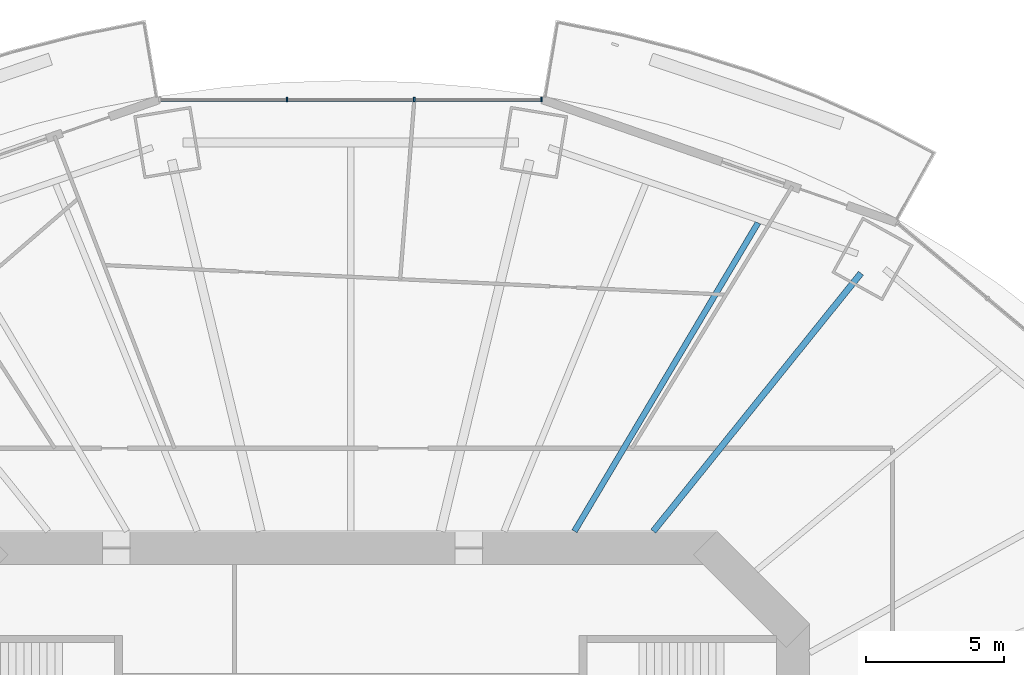
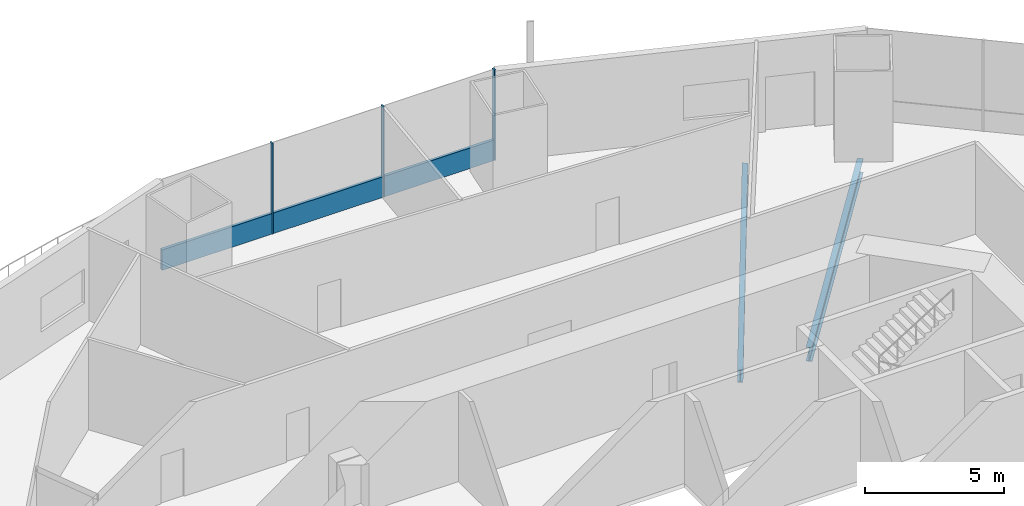
# One storey, part 9 of 22: 4 members, 2 beams, 1 element without a shape of its own.
"""IFC4 building model written with IfcOpenShell, lengths in metres."""

from ifc_helpers import new_model, si_unit, direction, frame, origin, origin_2d, place, context, subcontext, project, spatial, rectangle, i_section, extrude, material, material_profile, profile_set, type_object, element, aggregate, save


model = new_model("IFC4")

# Units and contexts
model_context = context("Model", 3, precision=1e-05, world=origin(), true_north=direction((0.0, 1.0)))
body_context = subcontext(model_context, "Body", "Model", "MODEL_VIEW")
ifc_project = project(units=[si_unit("LENGTHUNIT", "METRE"), si_unit("AREAUNIT", "SQUARE_METRE"), si_unit("VOLUMEUNIT", "CUBIC_METRE"), si_unit("PLANEANGLEUNIT", "RADIAN"), si_unit("MASSUNIT", "GRAM", prefix="KILO")], contexts=[model_context])

# Site, building, storey
site_placement = place(None, origin())
site = spatial("IfcSite", under=ifc_project, at=site_placement, CompositionType="ELEMENT")
building_placement = place(site_placement, origin())
building = spatial("IfcBuilding", under=site, at=building_placement, Name="Marenthal Gate Tower", CompositionType="ELEMENT")
storey_placement = place(building_placement, frame((0.0, 0.0, 70.35009765625)))
storey = spatial("IfcBuildingStorey", under=building, at=storey_placement, Name="L13", CompositionType="ELEMENT", Elevation=70.35009765625)

# Curtain wall, members
ifc_material_1 = material(Name="Aluminium and glass", Category="aluminium")
curtain_wall_type = type_object("IfcCurtainWallType", Name="Curtain wall typical low", PredefinedType="NOTDEFINED", material=ifc_material_1)
curtain_wall_placement = place(storey_placement, origin())
curtain_wall = element("IfcCurtainWall", 1, at=curtain_wall_placement, inside=storey, type_object=curtain_wall_type, Name="Curtain wall L13 bay 4", PredefinedType="NOTDEFINED")
ifc_material_2 = material(Name="Aluminium", Category="aluminium")
ifc_material_profile_1 = material_profile(ifc_material_2, rectangle(XDim=0.159912109375, YDim=0.06005859375, at=origin_2d()), Name="60x160 aluminium mullion")
ifc_profile_set_1 = profile_set([ifc_material_profile_1], Name="Aluminium")
member_type_1 = type_object("IfcMemberType", Name="Mullion 60x160 typical low", PredefinedType="MULLION", material=ifc_profile_set_1)
member_1_placement = place(storey_placement, frame((6.906005859375, 29.211669921875, 0.0), z_axis=(0.0, 0.0, 1.0), x_axis=(0.0, -1.0, 0.0)))
member_1 = element("IfcMember", 2, at=member_1_placement, type_object=member_type_1, Name="Mullion L13 bay 4.1", PredefinedType="MULLION", context=body_context, shape_type="SweptSolid", body=[
    extrude(rectangle(XDim=0.159912109375, YDim=0.06005859375, at=origin_2d()), origin(), (0.0, 0.0, 1.0), 3.969970703125),
])
member_2_placement = place(storey_placement, frame((2.302001953125, 29.211669921875, 0.0), z_axis=(0.0, 0.0, 1.0), x_axis=(0.0, -1.0, 0.0)))
member_2 = element("IfcMember", 3, at=member_2_placement, type_object=member_type_1, Name="Mullion L13 bay 4.2", PredefinedType="MULLION", context=body_context, shape_type="SweptSolid", body=[
    extrude(rectangle(XDim=0.159912109375, YDim=0.06005859375, at=origin_2d()), origin(), (0.0, 0.0, 1.0), 3.969970703125),
])
member_3_placement = place(storey_placement, frame((-2.302001953125, 29.211669921875, 0.0), z_axis=(0.0, 0.0, 1.0), x_axis=(0.0, -1.0, 0.0)))
member_3 = element("IfcMember", 4, at=member_3_placement, type_object=member_type_1, Name="Mullion L13 bay 4.3", PredefinedType="MULLION", context=body_context, shape_type="SweptSolid", body=[
    extrude(rectangle(XDim=0.159912109375, YDim=0.06005859375, at=origin_2d()), origin(), (0.0, 0.0, 1.0), 3.969970703125),
])
ifc_material_3 = material(Name="Aluminium", Category="aluminium")
ifc_material_profile_2 = material_profile(ifc_material_3, rectangle(XDim=0.1201171875, YDim=0.89990234375, at=origin_2d()), Name="120x900 aluminium transom")
ifc_profile_set_2 = profile_set([ifc_material_profile_2], Name="Aluminium")
member_type_2 = type_object("IfcMemberType", Name="Transom 120x900 typical low", PredefinedType="USERDEFINED", material=ifc_profile_set_2)
member_4_placement = place(storey_placement, frame((6.8759765625, 29.211669921875, 0.449951171875), z_axis=(-1.0, 0.0, 0.0), x_axis=(0.0, -1.0, 0.0)))
member_4 = element("IfcMember", 5, at=member_4_placement, type_object=member_type_2, Name="Transom L13 bay 4", ObjectType="TRANSOM", PredefinedType="USERDEFINED", context=body_context, shape_type="SweptSolid", body=[
    extrude(rectangle(XDim=0.1201171875, YDim=0.89990234375, at=origin_2d()), origin(), (0.0, 0.0, 1.0), 13.751953125),
])
aggregate(curtain_wall, [member_1, member_2, member_3, member_4])

# Beams
ifc_material_4 = material(Name="Steel S355", Category="steel")
ifc_material_profile_3 = material_profile(ifc_material_4, i_section(OverallWidth=0.2119140625, OverallDepth=0.5439453125, WebThickness=0.01318359375, FlangeThickness=0.021240234375, FilletRadius=0.0126953125, at=origin_2d()), Name="W530X123")
ifc_profile_set_3 = profile_set([ifc_material_profile_3], Name="Steel S355")
beam_type_1 = type_object("IfcBeamType", Name="W530X123 beam", PredefinedType="BEAM", material=ifc_profile_set_3)
beam_1_placement = place(storey_placement, frame((14.732421875, 24.754150390625, -0.4521484375), z_axis=(-0.511433266122, -0.859322997658, 0.0), x_axis=(0.859322997658, -0.511433266122, 0.0)))
element("IfcBeam", 6, at=beam_1_placement, inside=storey, type_object=beam_type_1, Name="BM-L13-20", PredefinedType="BEAM", context=body_context, shape_type="SweptSolid", body=[
    extrude(i_section(OverallWidth=0.2119140625, OverallDepth=0.5439453125, WebThickness=0.01318359375, FlangeThickness=0.021240234375, FilletRadius=0.0126953125, at=origin_2d()), origin(), (0.0, 0.0, 1.0), 12.97998046875),
])
ifc_material_5 = material(Name="Steel S355", Category="steel")
ifc_material_profile_4 = material_profile(ifc_material_5, i_section(OverallWidth=0.22900390625, OverallDepth=0.612060546875, WebThickness=0.011962890625, FlangeThickness=0.01953125, FilletRadius=0.0126953125, at=origin_2d()), Name="W610X125")
ifc_profile_set_4 = profile_set([ifc_material_profile_4], Name="Steel S355")
beam_type_2 = type_object("IfcBeamType", Name="W610X125 beam", PredefinedType="BEAM", material=ifc_profile_set_4)
beam_2_placement = place(storey_placement, frame((18.456298828125, 22.93115234375, -0.486083984375), z_axis=(-0.62700397479, -0.779016056059, 0.0), x_axis=(0.779016056059, -0.62700397479, 0.0)))
element("IfcBeam", 7, at=beam_2_placement, inside=storey, type_object=beam_type_2, Name="BM-L13-03", PredefinedType="BEAM", context=body_context, shape_type="SweptSolid", body=[
    extrude(i_section(OverallWidth=0.22900390625, OverallDepth=0.612060546875, WebThickness=0.011962890625, FlangeThickness=0.01953125, FilletRadius=0.0126953125, at=origin_2d()), origin(), (0.0, 0.0, 1.0), 11.97802734375),
])

save(model, "model.ifc")
